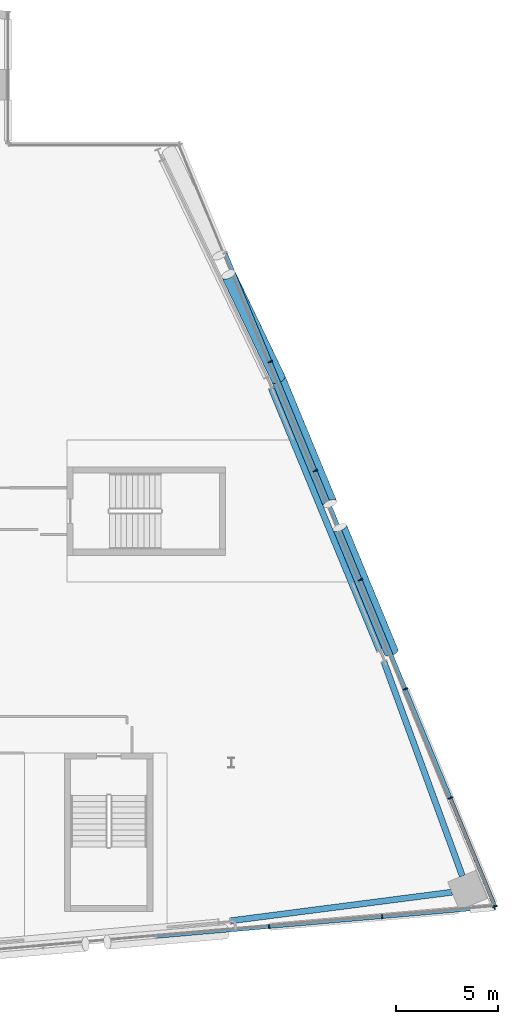
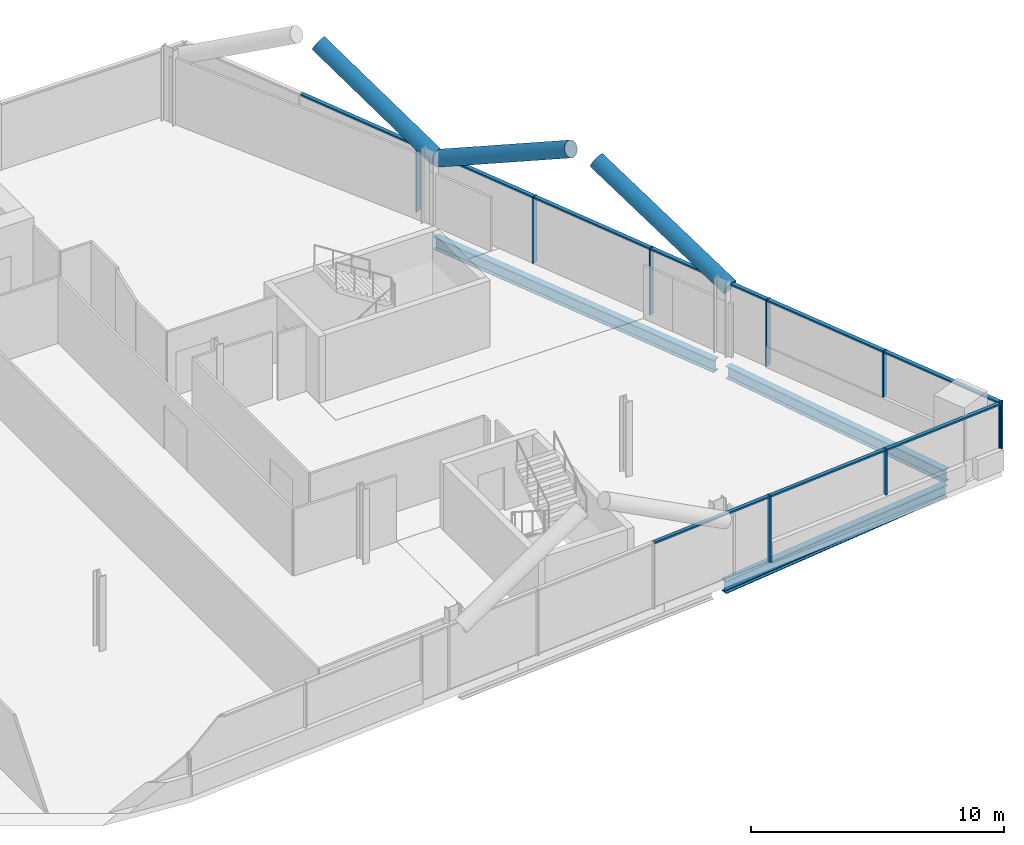
# One storey, part 11 of 26: 21 members, 3 beams, 2 elements without a shape of their own.
"""IFC4 building model written with IfcOpenShell, lengths in metres."""

from ifc_helpers import new_model, si_unit, direction, frame, origin, origin_2d, place, context, subcontext, project, spatial, rectangle, hollow_circle, i_section, extrude, material, material_profile, profile_set, type_object, element, aggregate, save


model = new_model("IFC4")

# Units and contexts
model_context = context("Model", 3, precision=1e-05, world=origin(), true_north=direction((0.0, 1.0)))
body_context = subcontext(model_context, "Body", "Model", "MODEL_VIEW")
ifc_project = project(units=[si_unit("LENGTHUNIT", "METRE"), si_unit("AREAUNIT", "SQUARE_METRE"), si_unit("VOLUMEUNIT", "CUBIC_METRE"), si_unit("PLANEANGLEUNIT", "RADIAN"), si_unit("MASSUNIT", "GRAM", prefix="KILO")], contexts=[model_context])

# Site, building, storey
site_placement = place(None, origin())
site = spatial("IfcSite", under=ifc_project, at=site_placement, CompositionType="ELEMENT")
building_placement = place(site_placement, origin())
building = spatial("IfcBuilding", under=site, at=building_placement, Name="Wharfspan Tower", CompositionType="ELEMENT")
storey_placement = place(building_placement, frame((0.0, 0.0, 184.300049)))
storey = spatial("IfcBuildingStorey", under=building, at=storey_placement, Name="L45", CompositionType="ELEMENT", Elevation=184.300049)

# Beams
ifc_material_1 = material(Name="Steel S355J2", Category="steel")
ifc_material_profile_1 = material_profile(ifc_material_1, i_section(OverallWidth=0.300049, OverallDepth=0.600098, WebThickness=0.015381, FlangeThickness=0.030029, FilletRadius=0.0271, at=origin_2d()))
ifc_profile_set_1 = profile_set([ifc_material_profile_1], Name="Steel S355J2")
beam_type = type_object("IfcBeamType", Name="Edge beam HEB 600", PredefinedType="SPANDREL", material=ifc_profile_set_1)
beam_1_placement = place(storey_placement, frame((71.965576, 3.724121, -0.699951), z_axis=(0.991764, 0.128077, 0.0), x_axis=(-0.128077, 0.991764, 0.0)))
element("IfcBeam", 1, at=beam_1_placement, inside=storey, type_object=beam_type, Name="Edge beam S2 L45 PS2.2 to MC4", PredefinedType="SPANDREL", context=body_context, shape_type="SweptSolid", body=[
    extrude(i_section(OverallWidth=0.300049, OverallDepth=0.600098, WebThickness=0.015381, FlangeThickness=0.030029, FilletRadius=0.0271, at=origin_2d()), origin(), (0.0, 0.0, 1.0), 10.991211),
])
beam_2_placement = place(storey_placement, frame((83.375732, 5.931885, -0.699951), z_axis=(-0.343871, 0.939017, 0.0), x_axis=(-0.939017, -0.343871, 0.0)))
element("IfcBeam", 2, at=beam_2_placement, inside=storey, type_object=beam_type, Name="Edge beam E L45 MC4 to PE.1", PredefinedType="SPANDREL", context=body_context, shape_type="SweptSolid", body=[
    extrude(i_section(OverallWidth=0.300049, OverallDepth=0.600098, WebThickness=0.015381, FlangeThickness=0.030029, FilletRadius=0.0271, at=origin_2d()), origin(), (0.0, 0.0, 1.0), 11.226807),
])
beam_3_placement = place(storey_placement, frame((79.292969, 17.044434, -0.699951), z_axis=(-0.381593, 0.92433, 0.0), x_axis=(-0.92433, -0.381593, 0.0)))
element("IfcBeam", 3, at=beam_3_placement, inside=storey, type_object=beam_type, Name="Edge beam E L45 PE.1 to PE.2", PredefinedType="SPANDREL", context=body_context, shape_type="SweptSolid", body=[
    extrude(i_section(OverallWidth=0.300049, OverallDepth=0.600098, WebThickness=0.015381, FlangeThickness=0.030029, FilletRadius=0.0271, at=origin_2d()), origin(), (0.0, 0.0, 1.0), 13.94751),
])

# Curtain wall, members
ifc_material_2 = material(Name="Aluminium 6063-T6", Category="aluminium")
curtain_wall_type_1 = type_object("IfcCurtainWallType", Name="CURTAIN WALL FACETED FRONT", PredefinedType="NOTDEFINED", material=ifc_material_2)
curtain_wall_1_placement = place(storey_placement, origin())
curtain_wall_1 = element("IfcCurtainWall", 4, at=curtain_wall_1_placement, inside=storey, type_object=curtain_wall_type_1, Name="Curtain wall S2", PredefinedType="NOTDEFINED")
ifc_material_profile_2 = material_profile(ifc_material_2, rectangle(XDim=0.199951, YDim=0.060059, at=origin_2d()))
ifc_profile_set_2 = profile_set([ifc_material_profile_2], Name="Aluminium 6063-T6")
member_type_1 = type_object("IfcMemberType", Name="MULLION FACETED FRONT 60x200", PredefinedType="MULLION", material=ifc_profile_set_2)
member_1_placement = place(storey_placement, frame((73.857178, 3.425049, 0.0), z_axis=(0.0, 0.0, 1.0), x_axis=(-0.087156, 0.996198, 0.0)))
member_1 = element("IfcMember", 5, at=member_1_placement, type_object=member_type_1, Name="Curtain wall S2 mullion 6", PredefinedType="MULLION", context=body_context, shape_type="SweptSolid", body=[
    extrude(rectangle(XDim=0.199951, YDim=0.060059, at=origin_2d()), origin(), (0.0, 0.0, 1.0), 3.199951),
])
member_2_placement = place(storey_placement, frame((79.428467, 3.912598, 1.0), z_axis=(0.0, 0.0, 1.0), x_axis=(-0.087156, 0.996198, 0.0)))
member_2 = element("IfcMember", 6, at=member_2_placement, type_object=member_type_1, Name="Curtain wall S2 mullion 7", PredefinedType="MULLION", context=body_context, shape_type="SweptSolid", body=[
    extrude(rectangle(XDim=0.199951, YDim=0.060059, at=origin_2d()), origin(), (0.0, 0.0, 1.0), 2.199951),
])
member_3_placement = place(storey_placement, frame((84.970215, 4.397461, 1.0), z_axis=(0.0, 0.0, 1.0), x_axis=(-0.087156, 0.996198, 0.0)))
member_3 = element("IfcMember", 7, at=member_3_placement, type_object=member_type_1, Name="Curtain wall S2 mullion 8", PredefinedType="MULLION", context=body_context, shape_type="SweptSolid", body=[
    extrude(rectangle(XDim=0.199951, YDim=0.060059, at=origin_2d()), origin(), (0.0, 0.0, 1.0), 2.199951),
])

curtain_wall_type_2 = type_object("IfcCurtainWallType", Name="CURTAIN WALL PROW AND END", PredefinedType="NOTDEFINED", material=ifc_material_2)
curtain_wall_2_placement = place(storey_placement, origin())
curtain_wall_2 = element("IfcCurtainWall", 8, at=curtain_wall_2_placement, inside=storey, type_object=curtain_wall_type_2, Name="Curtain wall E", PredefinedType="NOTDEFINED")
ifc_material_profile_3 = material_profile(ifc_material_2, rectangle(XDim=0.23999, YDim=0.060059, at=origin_2d()))
ifc_profile_set_3 = profile_set([ifc_material_profile_3], Name="Aluminium 6063-T6")
member_type_2 = type_object("IfcMemberType", Name="MULLION PROW AND END 60x240", PredefinedType="MULLION", material=ifc_profile_set_3)
member_4_placement = place(storey_placement, frame((84.988525, 4.427734, 1.0), z_axis=(0.0, 0.0, 1.0), x_axis=(-0.924325, -0.381602, 0.0)))
member_4 = element("IfcMember", 9, at=member_4_placement, type_object=member_type_2, Name="Curtain wall E mullion 1", PredefinedType="MULLION", context=body_context, shape_type="SweptSolid", body=[
    extrude(rectangle(XDim=0.23999, YDim=0.060059, at=origin_2d()), origin(), (0.0, 0.0, 1.0), 2.199951),
])
member_5_placement = place(storey_placement, frame((82.782471, 9.771484, 1.0), z_axis=(0.0, 0.0, 1.0), x_axis=(-0.924325, -0.381602, 0.0)))
member_5 = element("IfcMember", 10, at=member_5_placement, type_object=member_type_2, Name="Curtain wall E mullion 2", PredefinedType="MULLION", context=body_context, shape_type="SweptSolid", body=[
    extrude(rectangle(XDim=0.23999, YDim=0.060059, at=origin_2d()), origin(), (0.0, 0.0, 1.0), 2.199951),
])
member_6_placement = place(storey_placement, frame((80.564941, 15.142822, 0.0), z_axis=(0.0, 0.0, 1.0), x_axis=(-0.924325, -0.381602, 0.0)))
member_6 = element("IfcMember", 11, at=member_6_placement, type_object=member_type_2, Name="Curtain wall E mullion 3", PredefinedType="MULLION", context=body_context, shape_type="SweptSolid", body=[
    extrude(rectangle(XDim=0.23999, YDim=0.060059, at=origin_2d()), origin(), (0.0, 0.0, 1.0), 3.199951),
])
member_7_placement = place(storey_placement, frame((78.347412, 20.514404, 0.0), z_axis=(0.0, 0.0, 1.0), x_axis=(-0.924325, -0.381602, 0.0)))
member_7 = element("IfcMember", 12, at=member_7_placement, type_object=member_type_2, Name="Curtain wall E mullion 4", PredefinedType="MULLION", context=body_context, shape_type="SweptSolid", body=[
    extrude(rectangle(XDim=0.23999, YDim=0.060059, at=origin_2d()), origin(), (0.0, 0.0, 1.0), 3.199951),
])
member_8_placement = place(storey_placement, frame((76.129639, 25.885742, 0.0), z_axis=(0.0, 0.0, 1.0), x_axis=(-0.924325, -0.381602, 0.0)))
member_8 = element("IfcMember", 13, at=member_8_placement, type_object=member_type_2, Name="Curtain wall E mullion 5", PredefinedType="MULLION", context=body_context, shape_type="SweptSolid", body=[
    extrude(rectangle(XDim=0.23999, YDim=0.060059, at=origin_2d()), origin(), (0.0, 0.0, 1.0), 3.199951),
])
member_9_placement = place(storey_placement, frame((73.912109, 31.25708, 0.0), z_axis=(0.0, 0.0, 1.0), x_axis=(-0.924325, -0.381602, 0.0)))
member_9 = element("IfcMember", 14, at=member_9_placement, type_object=member_type_2, Name="Curtain wall E mullion 6", PredefinedType="MULLION", context=body_context, shape_type="SweptSolid", body=[
    extrude(rectangle(XDim=0.23999, YDim=0.060059, at=origin_2d()), origin(), (0.0, 0.0, 1.0), 3.199951),
])

# Members
ifc_material_3 = material(Name="Steel S460NH", Category="steel")
ifc_material_profile_4 = material_profile(ifc_material_3, hollow_circle(Radius=0.355469, WallThickness=0.035889, at=origin_2d()))
ifc_profile_set_4 = profile_set([ifc_material_profile_4], Name="Steel S460NH")
member_type_3 = type_object("IfcMemberType", Name="Mega brace CHS 711x36", PredefinedType="BRACE", material=ifc_profile_set_4)
member_10_placement = place(storey_placement, frame((79.876465, 16.954346, 2.899902), z_axis=(-0.34204, 0.82855, 0.443298), x_axis=(-0.924336, -0.38158, -4e-06)))
element("IfcMember", 15, at=member_10_placement, inside=storey, type_object=member_type_3, Name="Mega brace E5 L46 part 1", PredefinedType="BRACE", context=body_context, shape_type="SweptSolid", body=[
    extrude(hollow_circle(Radius=0.355469, WallThickness=0.035889, at=origin_2d()), origin(), (0.0, 0.0, 1.0), 7.406982),
])
member_11_placement = place(storey_placement, frame((74.320557, 30.411865, 2.899902), z_axis=(0.342079, -0.828531, 0.443305), x_axis=(0.924316, 0.381624, -4e-06)))
element("IfcMember", 16, at=member_11_placement, inside=storey, type_object=member_type_3, Name="Mega brace E5 L46 part 3", PredefinedType="BRACE", context=body_context, shape_type="SweptSolid", body=[
    extrude(hollow_circle(Radius=0.355469, WallThickness=0.035889, at=origin_2d()), origin(), (0.0, 0.0, 1.0), 7.406738),
])
member_12_placement = place(storey_placement, frame((74.320557, 30.411865, 2.899902), z_axis=(-0.374119, 0.780731, 0.500494), x_axis=(-0.90181, -0.432137, -3e-06)))
element("IfcMember", 17, at=member_12_placement, inside=storey, type_object=member_type_3, Name="Mega brace E6 L46 part 1", PredefinedType="BRACE", context=body_context, shape_type="SweptSolid", body=[
    extrude(hollow_circle(Radius=0.355469, WallThickness=0.035889, at=origin_2d()), origin(), (0.0, 0.0, 1.0), 6.581787),
])

# Member
ifc_material_profile_5 = material_profile(ifc_material_2, rectangle(XDim=0.159912, YDim=0.080078, at=origin_2d()))
ifc_profile_set_5 = profile_set([ifc_material_profile_5], Name="Aluminium 6063-T6")
member_type_4 = type_object("IfcMemberType", Name="TRANSOM FACETED FRONT 80x160", PredefinedType="USERDEFINED", material=ifc_profile_set_5)
member_13_placement = place(storey_placement, frame((68.315674, 2.940186, 3.159912), z_axis=(0.996191, 0.087197, 0.0), x_axis=(-0.087197, 0.996191, 0.0)))
member_13 = element("IfcMember", 18, at=member_13_placement, type_object=member_type_4, Name="Curtain wall S2 transom 5", ObjectType="TRANSOM", PredefinedType="USERDEFINED", context=body_context, shape_type="SweptSolid", body=[
    extrude(rectangle(XDim=0.159912, YDim=0.080078, at=origin_2d()), origin(), (0.0, 0.0, 1.0), 5.532471),
])

member_14_placement = place(storey_placement, frame((73.886963, 3.427734, 3.159912), z_axis=(0.996195, 0.087149, 0.0), x_axis=(-0.087149, 0.996195, 0.0)))
member_14 = element("IfcMember", 19, at=member_14_placement, type_object=member_type_4, Name="Curtain wall S2 transom 6", ObjectType="TRANSOM", PredefinedType="USERDEFINED", context=body_context, shape_type="SweptSolid", body=[
    extrude(rectangle(XDim=0.159912, YDim=0.080078, at=origin_2d()), origin(), (0.0, 0.0, 1.0), 5.532715),
])

member_15_placement = place(storey_placement, frame((79.458496, 3.915283, 3.159912), z_axis=(0.996196, 0.087139, 0.0), x_axis=(-0.087139, 0.996196, 0.0)))
member_15 = element("IfcMember", 20, at=member_15_placement, type_object=member_type_4, Name="Curtain wall S2 transom 7", ObjectType="TRANSOM", PredefinedType="USERDEFINED", context=body_context, shape_type="SweptSolid", body=[
    extrude(rectangle(XDim=0.159912, YDim=0.080078, at=origin_2d()), origin(), (0.0, 0.0, 1.0), 5.502686),
])

aggregate(curtain_wall_1, [member_1, member_2, member_3, member_13, member_14, member_15])

ifc_material_profile_6 = material_profile(ifc_material_2, rectangle(XDim=0.179932, YDim=0.080078, at=origin_2d()))
ifc_profile_set_6 = profile_set([ifc_material_profile_6], Name="Aluminium 6063-T6")
member_type_5 = type_object("IfcMemberType", Name="TRANSOM PROW AND END 80x180", PredefinedType="USERDEFINED", material=ifc_profile_set_6)
member_16_placement = place(storey_placement, frame((84.977051, 4.455566, 3.159912), z_axis=(-0.381595, 0.924329, 0.0), x_axis=(-0.924329, -0.381595, 0.0)))
member_16 = element("IfcMember", 21, at=member_16_placement, type_object=member_type_5, Name="Curtain wall E transom 1", ObjectType="TRANSOM", PredefinedType="USERDEFINED", context=body_context, shape_type="SweptSolid", body=[
    extrude(rectangle(XDim=0.179932, YDim=0.080078, at=origin_2d()), origin(), (0.0, 0.0, 1.0), 5.720947),
])

member_17_placement = place(storey_placement, frame((82.770996, 9.799072, 3.159912), z_axis=(-0.381578, 0.924337, 0.0), x_axis=(-0.924337, -0.381578, 0.0)))
member_17 = element("IfcMember", 22, at=member_17_placement, type_object=member_type_5, Name="Curtain wall E transom 2", ObjectType="TRANSOM", PredefinedType="USERDEFINED", context=body_context, shape_type="SweptSolid", body=[
    extrude(rectangle(XDim=0.179932, YDim=0.080078, at=origin_2d()), origin(), (0.0, 0.0, 1.0), 5.751221),
])

member_18_placement = place(storey_placement, frame((80.553467, 15.170654, 3.159912), z_axis=(-0.381629, 0.924315, 0.0), x_axis=(-0.924315, -0.381629, 0.0)))
member_18 = element("IfcMember", 23, at=member_18_placement, type_object=member_type_5, Name="Curtain wall E transom 3", ObjectType="TRANSOM", PredefinedType="USERDEFINED", context=body_context, shape_type="SweptSolid", body=[
    extrude(rectangle(XDim=0.179932, YDim=0.080078, at=origin_2d()), origin(), (0.0, 0.0, 1.0), 5.751221),
])

member_19_placement = place(storey_placement, frame((78.335938, 20.541992, 3.159912), z_axis=(-0.381629, 0.924315, 0.0), x_axis=(-0.924315, -0.381629, 0.0)))
member_19 = element("IfcMember", 24, at=member_19_placement, type_object=member_type_5, Name="Curtain wall E transom 4", ObjectType="TRANSOM", PredefinedType="USERDEFINED", context=body_context, shape_type="SweptSolid", body=[
    extrude(rectangle(XDim=0.179932, YDim=0.080078, at=origin_2d()), origin(), (0.0, 0.0, 1.0), 5.751221),
])

member_20_placement = place(storey_placement, frame((76.118408, 25.91333, 3.159912), z_axis=(-0.381614, 0.924322, 0.0), x_axis=(-0.924322, -0.381614, 0.0)))
member_20 = element("IfcMember", 25, at=member_20_placement, type_object=member_type_5, Name="Curtain wall E transom 5", ObjectType="TRANSOM", PredefinedType="USERDEFINED", context=body_context, shape_type="SweptSolid", body=[
    extrude(rectangle(XDim=0.179932, YDim=0.080078, at=origin_2d()), origin(), (0.0, 0.0, 1.0), 5.751465),
])

member_21_placement = place(storey_placement, frame((73.900635, 31.284912, 3.159912), z_axis=(-0.381593, 0.92433, 0.0), x_axis=(-0.92433, -0.381593, 0.0)))
member_21 = element("IfcMember", 26, at=member_21_placement, type_object=member_type_5, Name="Curtain wall E transom 6", ObjectType="TRANSOM", PredefinedType="USERDEFINED", context=body_context, shape_type="SweptSolid", body=[
    extrude(rectangle(XDim=0.179932, YDim=0.080078, at=origin_2d()), origin(), (0.0, 0.0, 1.0), 5.751221),
])

aggregate(curtain_wall_2, [member_4, member_5, member_6, member_7, member_8, member_9, member_16, member_17, member_18, member_19, member_20, member_21])

save(model, "model.ifc")
